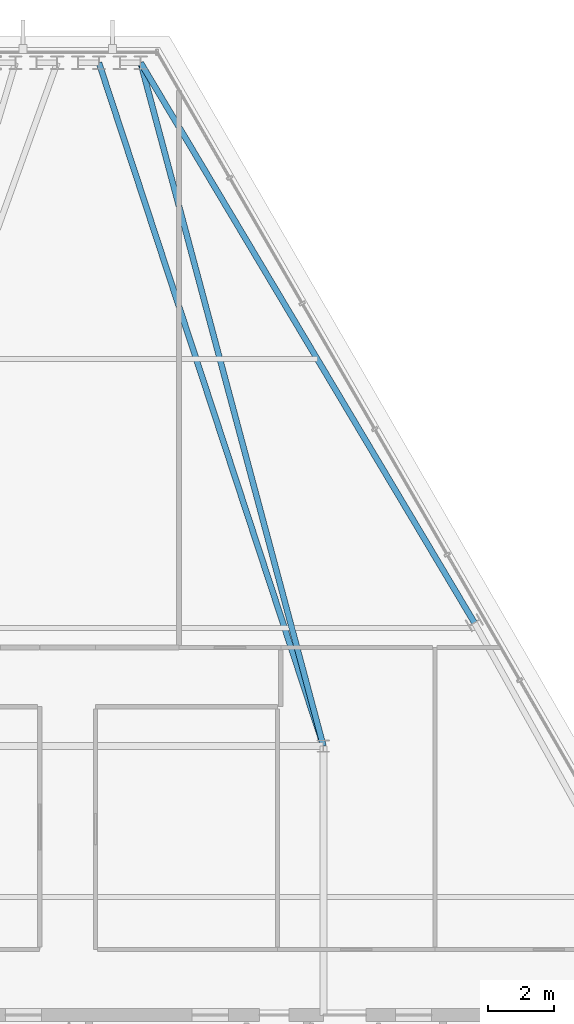
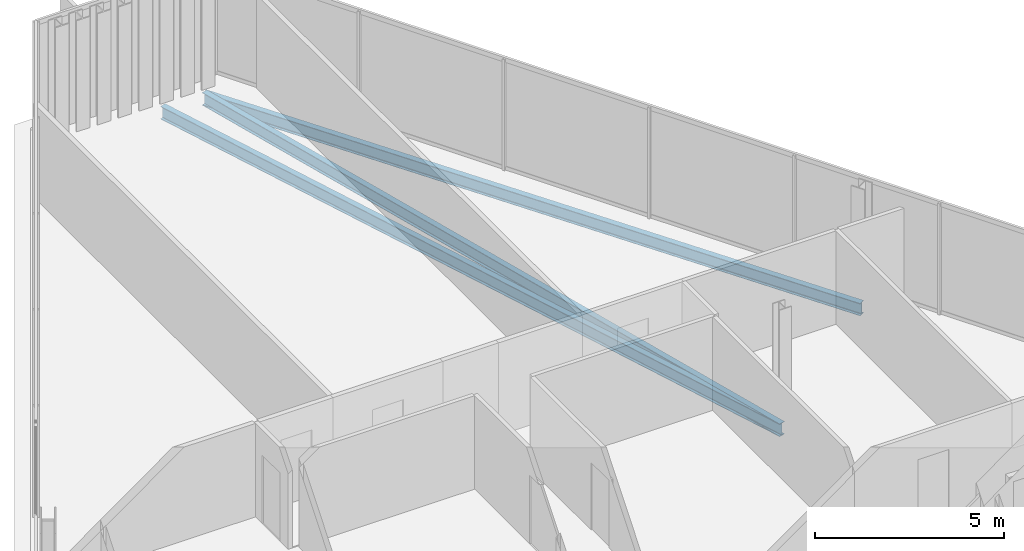
# One storey, part 19 of 34: 3 beams.
"""IFC4 building model written with IfcOpenShell, lengths in metres."""

from ifc_helpers import new_model, si_unit, direction, frame, origin, origin_2d, place, context, subcontext, project, spatial, i_section, extrude, material, material_profile, profile_set, type_object, element, save


model = new_model("IFC4")

# Units and contexts
model_context = context("Model", 3, precision=1e-05, world=origin(), true_north=direction((0.0, 1.0)))
body_context = subcontext(model_context, "Body", "Model", "MODEL_VIEW")
ifc_project = project(units=[si_unit("LENGTHUNIT", "METRE"), si_unit("AREAUNIT", "SQUARE_METRE"), si_unit("VOLUMEUNIT", "CUBIC_METRE"), si_unit("PLANEANGLEUNIT", "RADIAN"), si_unit("MASSUNIT", "GRAM", prefix="KILO")], contexts=[model_context])

# Site, building, storey
site_placement = place(None, origin())
site = spatial("IfcSite", under=ifc_project, at=site_placement, CompositionType="ELEMENT")
building_placement = place(site_placement, origin())
building = spatial("IfcBuilding", under=site, at=building_placement, Name="Ndaravel Arena Tower", CompositionType="ELEMENT")
storey_placement = place(building_placement, frame((0.0, 0.0, 263.60009765625)))
storey = spatial("IfcBuildingStorey", under=building, at=storey_placement, Name="L64", CompositionType="ELEMENT", Elevation=263.60009765625)

# Beams
ifc_material_1 = material(Name="Steel S355", Category="steel")
ifc_material_profile_1 = material_profile(ifc_material_1, i_section(OverallWidth=0.1787109375, OverallDepth=0.409423828125, WebThickness=0.0087890625, FlangeThickness=0.014404296875, FilletRadius=0.01025390625, at=origin_2d()), Name="UB 406x178x67")
ifc_profile_set_1 = profile_set([ifc_material_profile_1], Name="Steel S355")
beam_type_1 = type_object("IfcBeamType", Name="BM-GIRD-UB406", PredefinedType="BEAM", material=ifc_profile_set_1)
beam_1_placement = place(storey_placement, frame((44.227294921875, 44.038330078125, -0.4248046875), z_axis=(0.258348720758, -0.966051726608, 0.0), x_axis=(0.966051726608, 0.258348720758, 0.0)))
element("IfcBeam", 1, at=beam_1_placement, inside=storey, type_object=beam_type_1, Name="L64 Radial Floor Girder FG-11", PredefinedType="BEAM", context=body_context, shape_type="SweptSolid", body=[
    extrude(i_section(OverallWidth=0.1787109375, OverallDepth=0.409423828125, WebThickness=0.0087890625, FlangeThickness=0.014404296875, FilletRadius=0.01025390625, at=origin_2d()), origin(), (0.0, 0.0, 1.0), 21.570556640625),
])
beam_2_placement = place(storey_placement, frame((42.95458984375, 44.038330078125, -0.4248046875), z_axis=(0.312094159638, -0.950051175211, 0.0), x_axis=(0.950051175211, 0.312094159638, 0.0)))
element("IfcBeam", 2, at=beam_2_placement, inside=storey, type_object=beam_type_1, Name="L64 Radial Floor Girder FG-13", PredefinedType="BEAM", context=body_context, shape_type="SweptSolid", body=[
    extrude(i_section(OverallWidth=0.1787109375, OverallDepth=0.409423828125, WebThickness=0.0087890625, FlangeThickness=0.014404296875, FilletRadius=0.01025390625, at=origin_2d()), origin(), (0.0, 0.0, 1.0), 21.933837890625),
])
ifc_material_2 = material(Name="Steel S355", Category="steel")
ifc_material_profile_2 = material_profile(ifc_material_2, i_section(OverallWidth=0.179931640625, OverallDepth=0.39990234375, WebThickness=0.008544921875, FlangeThickness=0.013427734375, FilletRadius=0.02099609375, at=origin_2d()), Name="IPE 400")
ifc_profile_set_2 = profile_set([ifc_material_profile_2], Name="Steel S355")
beam_type_2 = type_object("IfcBeamType", Name="BM-SPAN-IPE400", PredefinedType="SPANDREL", material=ifc_profile_set_2)
beam_3_placement = place(storey_placement, frame((54.403564453125, 26.963623046875, -0.420166015625), z_axis=(-0.511957538503, 0.85901075591, 0.0), x_axis=(-0.85901075591, -0.511957538503, 0.0)))
element("IfcBeam", 3, at=beam_3_placement, inside=storey, type_object=beam_type_2, Name="L64 Perimeter Spandrel Beam SP-10", PredefinedType="SPANDREL", context=body_context, shape_type="SweptSolid", body=[
    extrude(i_section(OverallWidth=0.179931640625, OverallDepth=0.39990234375, WebThickness=0.008544921875, FlangeThickness=0.013427734375, FilletRadius=0.02099609375, at=origin_2d()), origin(), (0.0, 0.0, 1.0), 19.877197265625),
])

save(model, "model.ifc")
